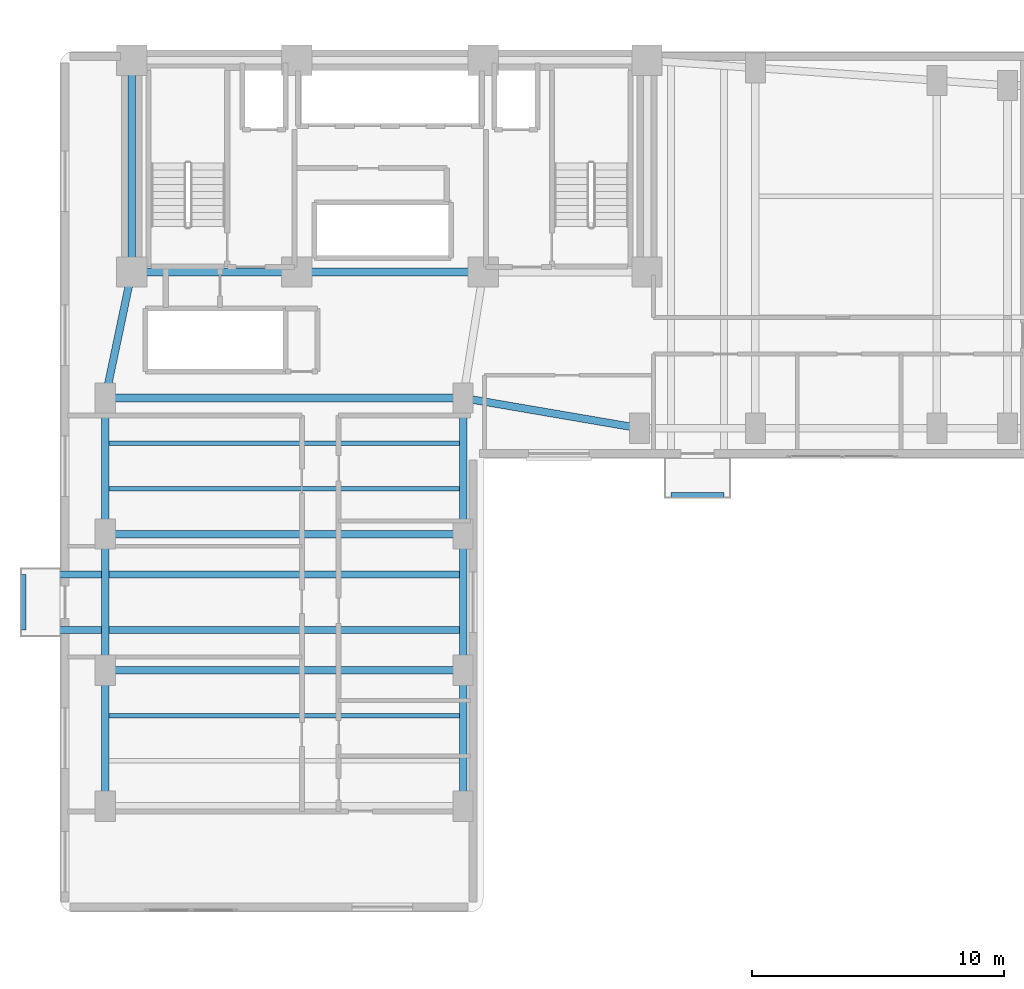
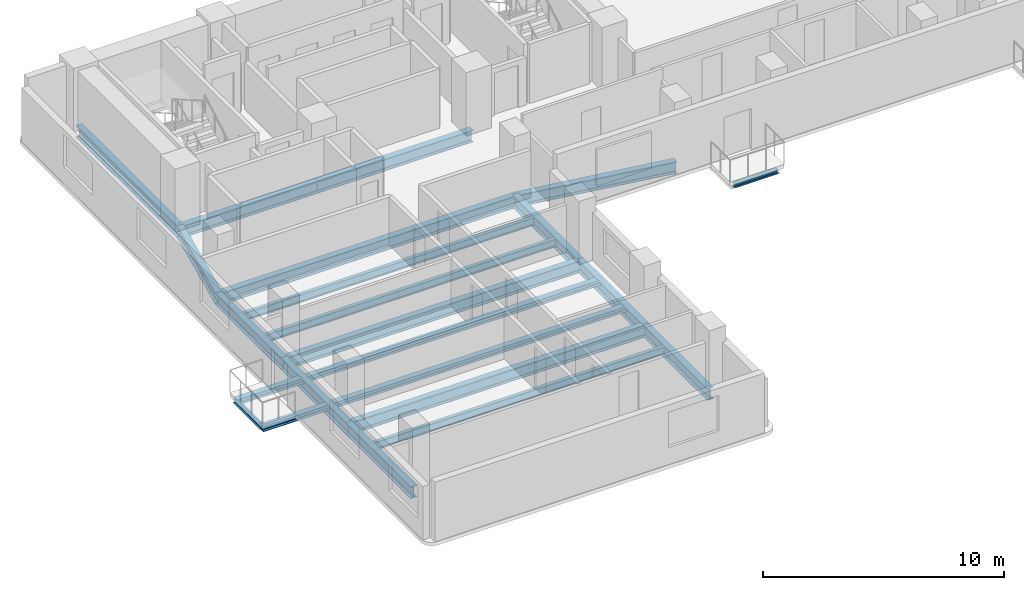
# One storey, part 3 of 14: 21 beams.
"""IFC4 building model written with IfcOpenShell, lengths in metres."""

from ifc_helpers import new_model, si_unit, direction, frame, origin, origin_2d, place, context, subcontext, project, spatial, i_section, extrude, material, material_profile, profile_set, type_object, element, save


model = new_model("IFC4")

# Units and contexts
model_context = context("Model", 3, precision=1e-05, world=origin(), true_north=direction((0.0, 1.0)))
body_context = subcontext(model_context, "Body", "Model", "MODEL_VIEW")
ifc_project = project(units=[si_unit("LENGTHUNIT", "METRE"), si_unit("AREAUNIT", "SQUARE_METRE"), si_unit("VOLUMEUNIT", "CUBIC_METRE"), si_unit("PLANEANGLEUNIT", "RADIAN"), si_unit("MASSUNIT", "GRAM", prefix="KILO")], contexts=[model_context])

# Site, building, storey
site_placement = place(None, origin())
site = spatial("IfcSite", under=ifc_project, at=site_placement, CompositionType="ELEMENT")
building_placement = place(site_placement, origin())
building = spatial("IfcBuilding", under=site, at=building_placement, Name="Kuzgunbayir Cultural Tower", CompositionType="ELEMENT")
storey_placement = place(building_placement, frame((0.0, 0.0, 69.199951171875)))
storey = spatial("IfcBuildingStorey", under=building, at=storey_placement, Name="L19", CompositionType="ELEMENT", Elevation=69.199951171875)

# Beams
ifc_material = material(Name="Steel S355J2", Category="steel")
ifc_material_profile_1 = material_profile(ifc_material, i_section(OverallWidth=0.280029296875, OverallDepth=0.280029296875, WebThickness=0.010498046875, FlangeThickness=0.01806640625, FilletRadius=0.02392578125, at=origin_2d()), Name="HEB 280")
ifc_profile_set_1 = profile_set([ifc_material_profile_1], Name="Steel S355J2")
beam_type_1 = type_object("IfcBeamType", Name="BM-BAL-HEB280", PredefinedType="BEAM", material=ifc_profile_set_1)
for number, where, z_axis, x_axis, name in (
    (1, (2.159912109375, 19.60009765625, -0.33984375), (1.0, 0.0, 0.0), (0.0, 1.0, 0.0), "L19 Balcony Outrigger Beam BAL-L19-WA2.1"),
    (2, (2.159912109375, 21.800048828125, -0.33984375), (1.0, 0.0, 0.0), (0.0, 1.0, 0.0), "L19 Balcony Outrigger Beam BAL-L19-WA2.2"),
):
    element("IfcBeam", number, at=place(storey_placement, frame(where, z_axis=z_axis, x_axis=x_axis)), inside=storey, type_object=beam_type_1, Name=name, PredefinedType="BEAM", context=body_context, shape_type="SweptSolid", body=[
        extrude(i_section(OverallWidth=0.280029296875, OverallDepth=0.280029296875, WebThickness=0.010498046875, FlangeThickness=0.01806640625, FilletRadius=0.02392578125, at=origin_2d()), origin(), (0.0, 0.0, 1.0), 17.440185546875),
    ])
ifc_material_profile_2 = material_profile(ifc_material, i_section(OverallWidth=0.199951171875, OverallDepth=0.199951171875, WebThickness=0.009033203125, FlangeThickness=0.014892578125, FilletRadius=0.01806640625, at=origin_2d()), Name="HEB 200")
ifc_profile_set_2 = profile_set([ifc_material_profile_2], Name="Steel S355J2")
beam_type_2 = type_object("IfcBeamType", Name="BM-CAN-HEB200", PredefinedType="BEAM", material=ifc_profile_set_2)
beam_1_placement = place(storey_placement, frame((2.159912109375, 19.60009765625, -0.300048828125), z_axis=(0.0, 1.0, 0.0), x_axis=(-1.0, 0.0, 0.0)))
element("IfcBeam", 3, at=beam_1_placement, inside=storey, type_object=beam_type_2, Name="L19 Balcony Edge Header BAL-L19-WA2", PredefinedType="BEAM", context=body_context, shape_type="SweptSolid", body=[
    extrude(i_section(OverallWidth=0.199951171875, OverallDepth=0.199951171875, WebThickness=0.009033203125, FlangeThickness=0.014892578125, FilletRadius=0.01806640625, at=origin_2d()), origin(), (0.0, 0.0, 1.0), 2.199951171875),
])
beam_2_placement = place(storey_placement, frame((27.85009765625, 24.9599609375, -0.300048828125), z_axis=(1.0, 0.0, 0.0), x_axis=(0.0, 1.0, 0.0)))
element("IfcBeam", 4, at=beam_2_placement, inside=storey, type_object=beam_type_2, Name="L19 Balcony Edge Header BAL-L19-WB1", PredefinedType="BEAM", context=body_context, shape_type="SweptSolid", body=[
    extrude(i_section(OverallWidth=0.199951171875, OverallDepth=0.199951171875, WebThickness=0.009033203125, FlangeThickness=0.014892578125, FilletRadius=0.01806640625, at=origin_2d()), origin(), (0.0, 0.0, 1.0), 2.099853515625),
])
ifc_material_profile_3 = material_profile(ifc_material, i_section(OverallWidth=0.300048828125, OverallDepth=0.60009765625, WebThickness=0.015380859375, FlangeThickness=0.030029296875, FilletRadius=0.027099609375, at=origin_2d()), Name="HEB 600")
ifc_profile_set_3 = profile_set([ifc_material_profile_3], Name="Steel S355J2")
beam_type_3 = type_object("IfcBeamType", Name="BM-EXT-HEB600", PredefinedType="BEAM", material=ifc_profile_set_3)
for number, where, z_axis, x_axis, name in (
    (5, (5.39990234375, 12.60009765625, -0.47998046875), (0.0, 1.0, 0.0), (-1.0, 0.0, 0.0), "L19 Wing A West Girder 1"),
    (6, (19.60009765625, 12.60009765625, -0.47998046875), (0.0, 1.0, 0.0), (-1.0, 0.0, 0.0), "L19 Wing A East Girder 1"),
    (7, (5.39990234375, 18.0, -0.47998046875), (0.0, 1.0, 0.0), (-1.0, 0.0, 0.0), "L19 Wing A West Girder 2"),
    (8, (19.60009765625, 18.0, -0.47998046875), (0.0, 1.0, 0.0), (-1.0, 0.0, 0.0), "L19 Wing A East Girder 2"),
):
    element("IfcBeam", number, at=place(storey_placement, frame(where, z_axis=z_axis, x_axis=x_axis)), inside=storey, type_object=beam_type_3, Name=name, PredefinedType="BEAM", context=body_context, shape_type="SweptSolid", body=[
        extrude(i_section(OverallWidth=0.300048828125, OverallDepth=0.60009765625, WebThickness=0.015380859375, FlangeThickness=0.030029296875, FilletRadius=0.027099609375, at=origin_2d()), origin(), (0.0, 0.0, 1.0), 5.39990234375),
    ])
for number, where, z_axis, x_axis, name in (
    (9, (5.39990234375, 23.39990234375, -0.47998046875), (0.0, 1.0, 0.0), (-1.0, 0.0, 0.0), "L19 Wing A West Girder 3"),
    (10, (19.60009765625, 23.39990234375, -0.47998046875), (0.0, 1.0, 0.0), (-1.0, 0.0, 0.0), "L19 Wing A East Girder 3"),
):
    element("IfcBeam", number, at=place(storey_placement, frame(where, z_axis=z_axis, x_axis=x_axis)), inside=storey, type_object=beam_type_3, Name=name, PredefinedType="BEAM", context=body_context, shape_type="SweptSolid", body=[
        extrude(i_section(OverallWidth=0.300048828125, OverallDepth=0.60009765625, WebThickness=0.015380859375, FlangeThickness=0.030029296875, FilletRadius=0.027099609375, at=origin_2d()), origin(), (0.0, 0.0, 1.0), 5.400146484375),
    ])
ifc_material_profile_4 = material_profile(ifc_material, i_section(OverallWidth=0.300048828125, OverallDepth=0.60009765625, WebThickness=0.015380859375, FlangeThickness=0.030029296875, FilletRadius=0.027099609375, at=origin_2d()), Name="HEB 600")
ifc_profile_set_4 = profile_set([ifc_material_profile_4], Name="Steel S355J2")
beam_type_4 = type_object("IfcBeamType", Name="BM-GIR-HEB600", PredefinedType="BEAM", material=ifc_profile_set_4)
beam_3_placement = place(storey_placement, frame((6.449951171875, 33.800048828125, -0.47998046875), z_axis=(1.0, 0.0, 0.0), x_axis=(0.0, 1.0, 0.0)))
element("IfcBeam", 11, at=beam_3_placement, inside=storey, type_object=beam_type_4, Name="L19 Core South Girder 1", PredefinedType="BEAM", context=body_context, shape_type="SweptSolid", body=[
    extrude(i_section(OverallWidth=0.300048828125, OverallDepth=0.60009765625, WebThickness=0.015380859375, FlangeThickness=0.030029296875, FilletRadius=0.027099609375, at=origin_2d()), origin(), (0.0, 0.0, 1.0), 6.550048828125),
])
beam_4_placement = place(storey_placement, frame((13.0, 33.800048828125, -0.47998046875), z_axis=(1.0, 0.0, 0.0), x_axis=(0.0, 1.0, 0.0)))
element("IfcBeam", 12, at=beam_4_placement, inside=storey, type_object=beam_type_4, Name="L19 Core South Girder 2", PredefinedType="BEAM", context=body_context, shape_type="SweptSolid", body=[
    extrude(i_section(OverallWidth=0.300048828125, OverallDepth=0.60009765625, WebThickness=0.015380859375, FlangeThickness=0.030029296875, FilletRadius=0.027099609375, at=origin_2d()), origin(), (0.0, 0.0, 1.0), 7.39990234375),
])
beam_5_placement = place(storey_placement, frame((6.449951171875, 33.800048828125, -0.47998046875), z_axis=(0.0, 1.0, 0.0), x_axis=(-1.0, 0.0, 0.0)))
element("IfcBeam", 13, at=beam_5_placement, inside=storey, type_object=beam_type_4, Name="L19 Core West Edge Girder", PredefinedType="BEAM", context=body_context, shape_type="SweptSolid", body=[
    extrude(i_section(OverallWidth=0.300048828125, OverallDepth=0.60009765625, WebThickness=0.015380859375, FlangeThickness=0.030029296875, FilletRadius=0.027099609375, at=origin_2d()), origin(), (0.0, 0.0, 1.0), 8.39990234375),
])
for number, where, z_axis, x_axis, name in (
    (14, (5.39990234375, 18.0, -0.47998046875), (1.0, 0.0, 0.0), (0.0, 1.0, 0.0), "L19 Wing A Transverse Girder 2"),
    (15, (5.39990234375, 23.39990234375, -0.47998046875), (1.0, 0.0, 0.0), (0.0, 1.0, 0.0), "L19 Wing A Transverse Girder 3"),
    (16, (5.39990234375, 28.800048828125, -0.47998046875), (1.0, 0.0, 0.0), (0.0, 1.0, 0.0), "L19 Wing A Transverse Girder 4"),
):
    element("IfcBeam", number, at=place(storey_placement, frame(where, z_axis=z_axis, x_axis=x_axis)), inside=storey, type_object=beam_type_4, Name=name, PredefinedType="BEAM", context=body_context, shape_type="SweptSolid", body=[
        extrude(i_section(OverallWidth=0.300048828125, OverallDepth=0.60009765625, WebThickness=0.015380859375, FlangeThickness=0.030029296875, FilletRadius=0.027099609375, at=origin_2d()), origin(), (0.0, 0.0, 1.0), 14.2001953125),
    ])
beam_6_placement = place(storey_placement, frame((5.39990234375, 28.800048828125, -0.47998046875), z_axis=(0.205526387753, 0.978651574329, 0.0), x_axis=(-0.978651574329, 0.205526387753, 0.0)))
element("IfcBeam", 17, at=beam_6_placement, inside=storey, type_object=beam_type_4, Name="L19 Wing A West Core Floor Girder", PredefinedType="BEAM", context=body_context, shape_type="SweptSolid", body=[
    extrude(i_section(OverallWidth=0.300048828125, OverallDepth=0.60009765625, WebThickness=0.015380859375, FlangeThickness=0.030029296875, FilletRadius=0.027099609375, at=origin_2d()), origin(), (0.0, 0.0, 1.0), 5.109130859375),
])
beam_7_placement = place(storey_placement, frame((19.60009765625, 28.800048828125, -0.47998046875), z_axis=(0.985623399742, -0.168957136221, 0.0), x_axis=(0.168957136221, 0.985623399742, 0.0)))
element("IfcBeam", 18, at=beam_7_placement, inside=storey, type_object=beam_type_4, Name="L19 Wing B Waist Tie Girder", PredefinedType="BEAM", context=body_context, shape_type="SweptSolid", body=[
    extrude(i_section(OverallWidth=0.300048828125, OverallDepth=0.60009765625, WebThickness=0.015380859375, FlangeThickness=0.030029296875, FilletRadius=0.027099609375, at=origin_2d()), origin(), (0.0, 0.0, 1.0), 7.10205078125),
])
ifc_material_profile_5 = material_profile(ifc_material, i_section(OverallWidth=0.179931640625, OverallDepth=0.39990234375, WebThickness=0.008544921875, FlangeThickness=0.013427734375, FilletRadius=0.02099609375, at=origin_2d()), Name="IPE 400")
ifc_profile_set_5 = profile_set([ifc_material_profile_5], Name="Steel S355J2")
beam_type_5 = type_object("IfcBeamType", Name="BM-JST-IPE400", PredefinedType="JOIST", material=ifc_profile_set_5)
for number, where, z_axis, x_axis, name in (
    (19, (5.550048828125, 16.199951171875, -0.3798828125), (1.0, 0.0, 0.0), (0.0, 1.0, 0.0), "L19 Wing A Secondary Joist 2"),
    (20, (5.550048828125, 25.199951171875, -0.3798828125), (1.0, 0.0, 0.0), (0.0, 1.0, 0.0), "L19 Wing A Secondary Joist 5"),
    (21, (5.550048828125, 27.0, -0.3798828125), (1.0, 0.0, 0.0), (0.0, 1.0, 0.0), "L19 Wing A Secondary Joist 6"),
):
    element("IfcBeam", number, at=place(storey_placement, frame(where, z_axis=z_axis, x_axis=x_axis)), inside=storey, type_object=beam_type_5, Name=name, PredefinedType="JOIST", context=body_context, shape_type="SweptSolid", body=[
        extrude(i_section(OverallWidth=0.179931640625, OverallDepth=0.39990234375, WebThickness=0.008544921875, FlangeThickness=0.013427734375, FilletRadius=0.02099609375, at=origin_2d()), origin(), (0.0, 0.0, 1.0), 13.89990234375),
    ])

save(model, "model.ifc")
